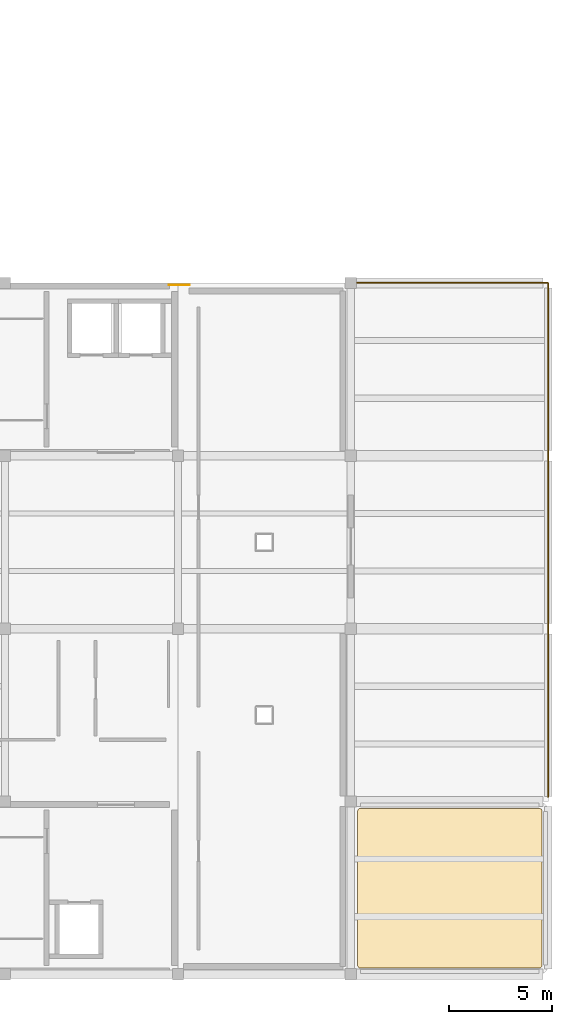
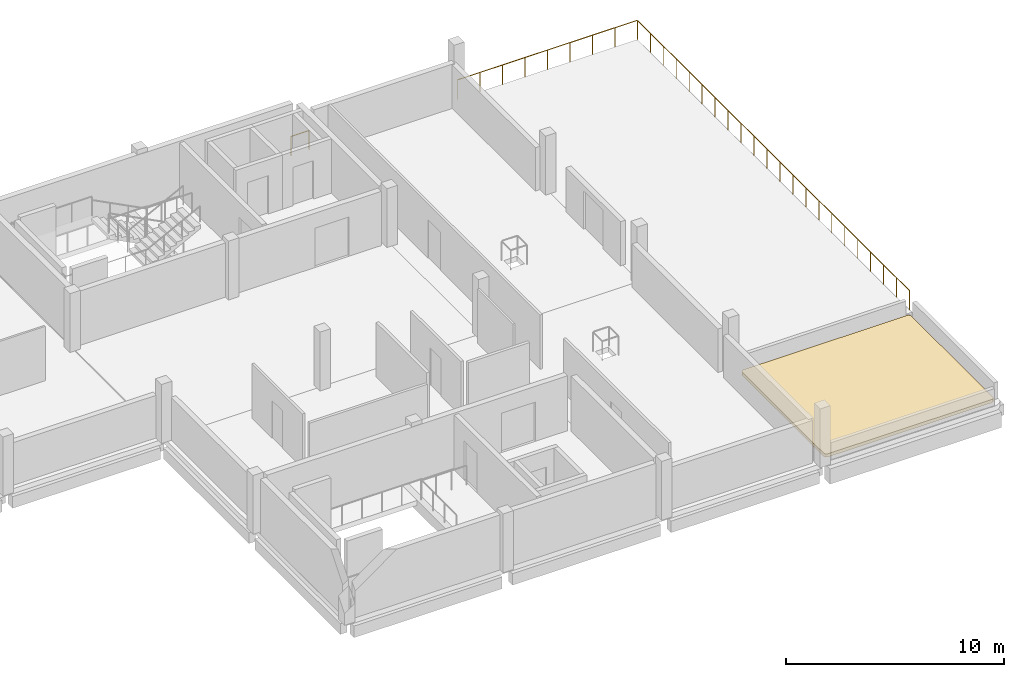
# One storey, part 43 of 43: 2 railings, 1 covering.
"""IFC4 building model written with IfcOpenShell, lengths in metres."""

from ifc_helpers import new_model, si_unit, derived_unit, direction, frame, origin, origin_2d, place, context, subcontext, project, spatial, polyline, circle, outline, extrude, material, layer, layer_set, type_object, element, save


model = new_model("IFC4")

# Units and contexts
model_context = context("Model", 3, precision=1e-05, world=origin(), true_north=direction((0.0, 1.0)))
body_context = subcontext(model_context, "Body", "Model", "MODEL_VIEW")
ifc_project = project(units=[si_unit("LENGTHUNIT", "METRE"), si_unit("AREAUNIT", "SQUARE_METRE"), si_unit("VOLUMEUNIT", "CUBIC_METRE"), si_unit("PLANEANGLEUNIT", "RADIAN"), si_unit("MASSUNIT", "GRAM", prefix="KILO"), derived_unit("THERMALTRANSMITTANCEUNIT", [(si_unit("POWERUNIT", "WATT"), 1), (si_unit("LENGTHUNIT", "METRE"), -2), (si_unit("THERMODYNAMICTEMPERATUREUNIT", "KELVIN"), -1)])], contexts=[model_context])

# Site, building, storey
site_placement = place(None, origin())
site = spatial("IfcSite", under=ifc_project, at=site_placement, CompositionType="ELEMENT")
building_placement = place(site_placement, origin())
building = spatial("IfcBuilding", under=site, at=building_placement, Name="Elbkamm Science Centre", CompositionType="ELEMENT")
storey_placement = place(building_placement, frame((0.0, 0.0, 18.300048828125)))
storey = spatial("IfcBuildingStorey", under=building, at=storey_placement, Name="L04", CompositionType="ELEMENT", Elevation=18.300048828125)

# Covering
ifc_material_1 = material(Name="EPDM waterproof roofing membrane and mineral wool insulation")
ifc_layer = layer(ifc_material_1, 0.179931640625)
ifc_layer_set = layer_set([ifc_layer], Name="EPDM waterproof roofing membrane and mineral wool insulation")
covering_type = type_object("IfcCoveringType", Name="COV-ROOFING-180", PredefinedType="ROOFING", material=ifc_layer_set)
covering_placement = place(storey_placement, origin())
element("IfcCovering", 1, at=covering_placement, inside=storey, type_object=covering_type, Name="L04 Insulated Roof Membrane Covering 16", PredefinedType="ROOFING", context=body_context, shape_type="SweptSolid", body=[
    extrude(outline(polyline([(151.65087890625, 25.503173828125), (151.636962890625, 25.506591796875), (151.62255859375, 25.511962890625), (151.609375, 25.51806640625), (151.5966796875, 25.525634765625), (151.585205078125, 25.5341796875), (151.57421875, 25.544189453125), (151.564208984375, 25.55517578125), (151.5556640625, 25.56689453125), (151.548095703125, 25.579345703125), (151.5419921875, 25.592529296875), (151.53662109375, 25.60693359375), (151.533203125, 25.620849609375), (151.531005859375, 25.63525390625), (151.530029296875, 25.657470703125), (151.530029296875, 33.112548828125), (151.531005859375, 33.134765625), (151.533203125, 33.149169921875), (151.53662109375, 33.1630859375), (151.5419921875, 33.177490234375), (151.548095703125, 33.190673828125), (151.5556640625, 33.203125), (151.564208984375, 33.21484375), (151.57421875, 33.225830078125), (151.585205078125, 33.23583984375), (151.5966796875, 33.244384765625), (151.609375, 33.251953125), (151.62255859375, 33.258056640625), (151.636962890625, 33.26318359375), (151.65087890625, 33.266845703125), (151.665283203125, 33.268798828125), (151.6875, 33.27001953125), (160.342529296875, 33.27001953125), (160.36474609375, 33.268798828125), (160.379150390625, 33.266845703125), (160.39306640625, 33.26318359375), (160.407470703125, 33.258056640625), (160.420654296875, 33.251953125), (160.43310546875, 33.244384765625), (160.44482421875, 33.23583984375), (160.455810546875, 33.225830078125), (160.4658203125, 33.21484375), (160.474365234375, 33.203125), (160.48193359375, 33.190673828125), (160.488037109375, 33.177490234375), (160.493408203125, 33.1630859375), (160.496826171875, 33.149169921875), (160.498779296875, 33.134765625), (160.5, 33.112548828125), (160.5, 25.657470703125), (160.498779296875, 25.63525390625), (160.496826171875, 25.620849609375), (160.493408203125, 25.60693359375), (160.488037109375, 25.592529296875), (160.48193359375, 25.579345703125), (160.474365234375, 25.56689453125), (160.4658203125, 25.55517578125), (160.455810546875, 25.544189453125), (160.44482421875, 25.5341796875), (160.43310546875, 25.525634765625), (160.420654296875, 25.51806640625), (160.407470703125, 25.511962890625), (160.39306640625, 25.506591796875), (160.379150390625, 25.503173828125), (160.36474609375, 25.501220703125), (160.342529296875, 25.5), (151.6875, 25.5), (151.665283203125, 25.501220703125), (151.65087890625, 25.503173828125)])), origin(), (0.0, 0.0, 1.0), 0.179931640625),
])

# Railings
ifc_material_2 = material(Name="Stainless steel EN 1.4401", Category="steel")
railing_type = type_object("IfcRailingType", Name="RAIL-EXT-GUARD-1100", PredefinedType="GUARDRAIL", material=ifc_material_2)
railing_1_placement = place(storey_placement, frame((151.280029296875, 58.800048828125, 0.0)))
element("IfcRailing", 2, at=railing_1_placement, inside=storey, type_object=railing_type, Name="L04 Outdoor Terrace Perimeter Guard 008", PredefinedType="GUARDRAIL", context=body_context, shape_type="SweptSolid", body=[
    extrude(circle(Radius=0.02392578125, at=origin_2d()), frame((0.0, 0.0, 1.078125), z_axis=(1.0, 0.0, 0.0), x_axis=(0.0, 1.0, 0.0)), (0.0, 0.0, 1.0), 9.489990234375),
    extrude(circle(Radius=0.02392578125, at=origin_2d()), frame((9.52001953125, -0.030029296875, 1.078125), z_axis=(0.0, -1.0, 0.0), x_axis=(1.0, 0.0, 0.0)), (0.0, 0.0, 1.0), 24.953125),
    extrude(circle(Radius=0.02001953125, at=origin_2d()), origin(), (0.0, 0.0, 1.0), 1.048095703125),
    extrude(circle(Radius=0.02001953125, at=origin_2d()), frame((1.18994140625, 0.0, 0.0)), (0.0, 0.0, 1.0), 1.048095703125),
    extrude(circle(Radius=0.02001953125, at=origin_2d()), frame((2.3798828125, 0.0, 0.0)), (0.0, 0.0, 1.0), 1.048095703125),
    extrude(circle(Radius=0.02001953125, at=origin_2d()), frame((3.570068359375, 0.0, 0.0)), (0.0, 0.0, 1.0), 1.048095703125),
    extrude(circle(Radius=0.02001953125, at=origin_2d()), frame((4.760009765625, 0.0, 0.0)), (0.0, 0.0, 1.0), 1.048095703125),
    extrude(circle(Radius=0.02001953125, at=origin_2d()), frame((5.949951171875, 0.0, 0.0)), (0.0, 0.0, 1.0), 1.048095703125),
    extrude(circle(Radius=0.02001953125, at=origin_2d()), frame((7.14013671875, 0.0, 0.0)), (0.0, 0.0, 1.0), 1.048095703125),
    extrude(circle(Radius=0.02001953125, at=origin_2d()), frame((8.330078125, 0.0, 0.0)), (0.0, 0.0, 1.0), 1.048095703125),
    extrude(circle(Radius=0.02001953125, at=origin_2d()), frame((9.52001953125, 0.0, 0.0)), (0.0, 0.0, 1.0), 1.048095703125),
    extrude(circle(Radius=0.02001953125, at=origin_2d()), frame((9.52001953125, -1.189697265625, 0.0)), (0.0, 0.0, 1.0), 1.048095703125),
    extrude(circle(Radius=0.02001953125, at=origin_2d()), frame((9.52001953125, -2.37939453125, 0.0)), (0.0, 0.0, 1.0), 1.048095703125),
    extrude(circle(Radius=0.02001953125, at=origin_2d()), frame((9.52001953125, -3.569091796875, 0.0)), (0.0, 0.0, 1.0), 1.048095703125),
    extrude(circle(Radius=0.02001953125, at=origin_2d()), frame((9.52001953125, -4.7587890625, 0.0)), (0.0, 0.0, 1.0), 1.048095703125),
    extrude(circle(Radius=0.02001953125, at=origin_2d()), frame((9.52001953125, -5.948486328125, 0.0)), (0.0, 0.0, 1.0), 1.048095703125),
    extrude(circle(Radius=0.02001953125, at=origin_2d()), frame((9.52001953125, -7.137939453125, 0.0)), (0.0, 0.0, 1.0), 1.048095703125),
    extrude(circle(Radius=0.02001953125, at=origin_2d()), frame((9.52001953125, -8.32763671875, 0.0)), (0.0, 0.0, 1.0), 1.048095703125),
    extrude(circle(Radius=0.02001953125, at=origin_2d()), frame((9.52001953125, -9.517333984375, 0.0)), (0.0, 0.0, 1.0), 1.048095703125),
    extrude(circle(Radius=0.02001953125, at=origin_2d()), frame((9.52001953125, -10.70703125, 0.0)), (0.0, 0.0, 1.0), 1.048095703125),
    extrude(circle(Radius=0.02001953125, at=origin_2d()), frame((9.52001953125, -11.896728515625, 0.0)), (0.0, 0.0, 1.0), 1.048095703125),
    extrude(circle(Radius=0.02001953125, at=origin_2d()), frame((9.52001953125, -13.08642578125, 0.0)), (0.0, 0.0, 1.0), 1.048095703125),
    extrude(circle(Radius=0.02001953125, at=origin_2d()), frame((9.52001953125, -14.276123046875, 0.0)), (0.0, 0.0, 1.0), 1.048095703125),
    extrude(circle(Radius=0.02001953125, at=origin_2d()), frame((9.52001953125, -15.4658203125, 0.0)), (0.0, 0.0, 1.0), 1.048095703125),
    extrude(circle(Radius=0.02001953125, at=origin_2d()), frame((9.52001953125, -16.655517578125, 0.0)), (0.0, 0.0, 1.0), 1.048095703125),
    extrude(circle(Radius=0.02001953125, at=origin_2d()), frame((9.52001953125, -17.84521484375, 0.0)), (0.0, 0.0, 1.0), 1.048095703125),
    extrude(circle(Radius=0.02001953125, at=origin_2d()), frame((9.52001953125, -19.03466796875, 0.0)), (0.0, 0.0, 1.0), 1.048095703125),
    extrude(circle(Radius=0.02001953125, at=origin_2d()), frame((9.52001953125, -20.224365234375, 0.0)), (0.0, 0.0, 1.0), 1.048095703125),
    extrude(circle(Radius=0.02001953125, at=origin_2d()), frame((9.52001953125, -21.4140625, 0.0)), (0.0, 0.0, 1.0), 1.048095703125),
    extrude(circle(Radius=0.02001953125, at=origin_2d()), frame((9.52001953125, -22.603759765625, 0.0)), (0.0, 0.0, 1.0), 1.048095703125),
    extrude(circle(Radius=0.02001953125, at=origin_2d()), frame((9.52001953125, -23.79345703125, 0.0)), (0.0, 0.0, 1.0), 1.048095703125),
    extrude(circle(Radius=0.02001953125, at=origin_2d()), frame((9.52001953125, -24.983154296875, 0.0)), (0.0, 0.0, 1.0), 1.048095703125),
])
railing_2_placement = place(storey_placement, frame((142.3798828125, 58.699951171875, 0.0)))
element("IfcRailing", 3, at=railing_2_placement, inside=storey, type_object=railing_type, Name="L04 Slab Edge Perimeter Guard 104", PredefinedType="GUARDRAIL", context=body_context, shape_type="SweptSolid", body=[
    extrude(circle(Radius=0.02392578125, at=origin_2d()), frame((0.0, 0.0, 1.078125), z_axis=(1.0, 0.0, 0.0), x_axis=(0.0, 1.0, 0.0)), (0.0, 0.0, 1.0), 0.97021484375),
    extrude(circle(Radius=0.02001953125, at=origin_2d()), origin(), (0.0, 0.0, 1.0), 1.048095703125),
    extrude(circle(Radius=0.02001953125, at=origin_2d()), frame((0.97021484375, 0.0, 0.0)), (0.0, 0.0, 1.0), 1.048095703125),
])

save(model, "model.ifc")
